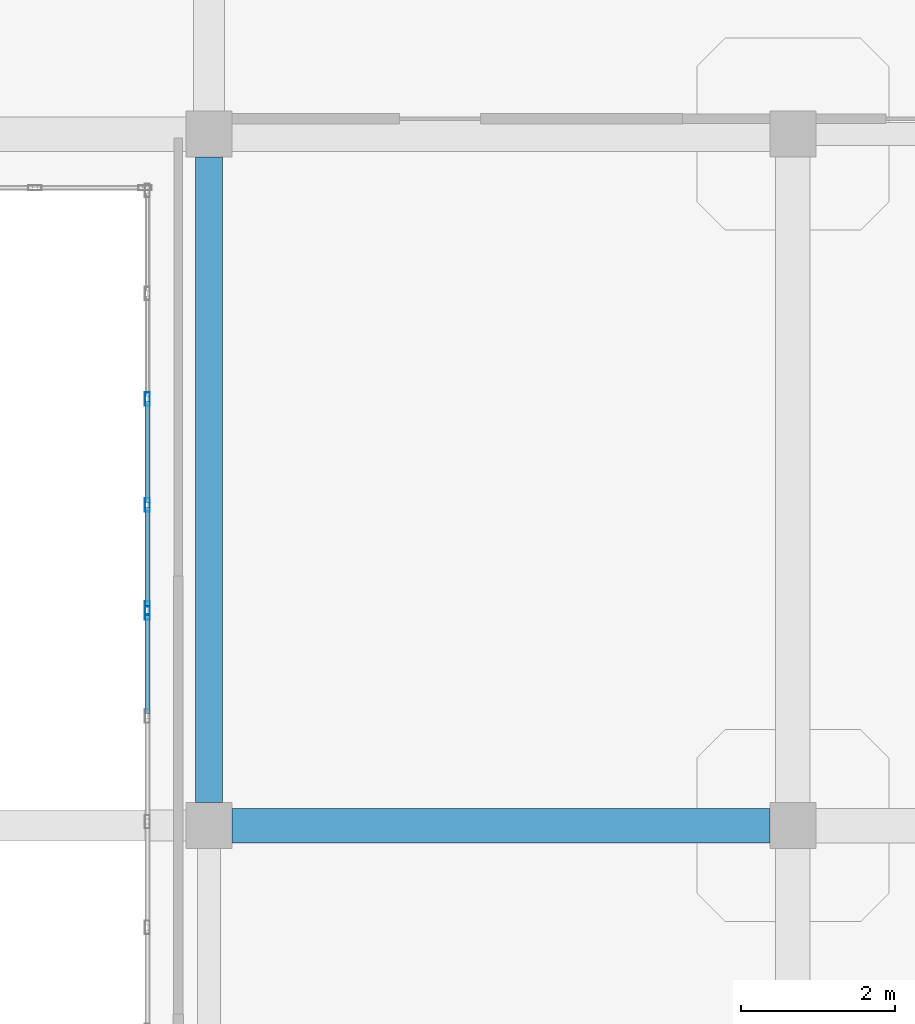
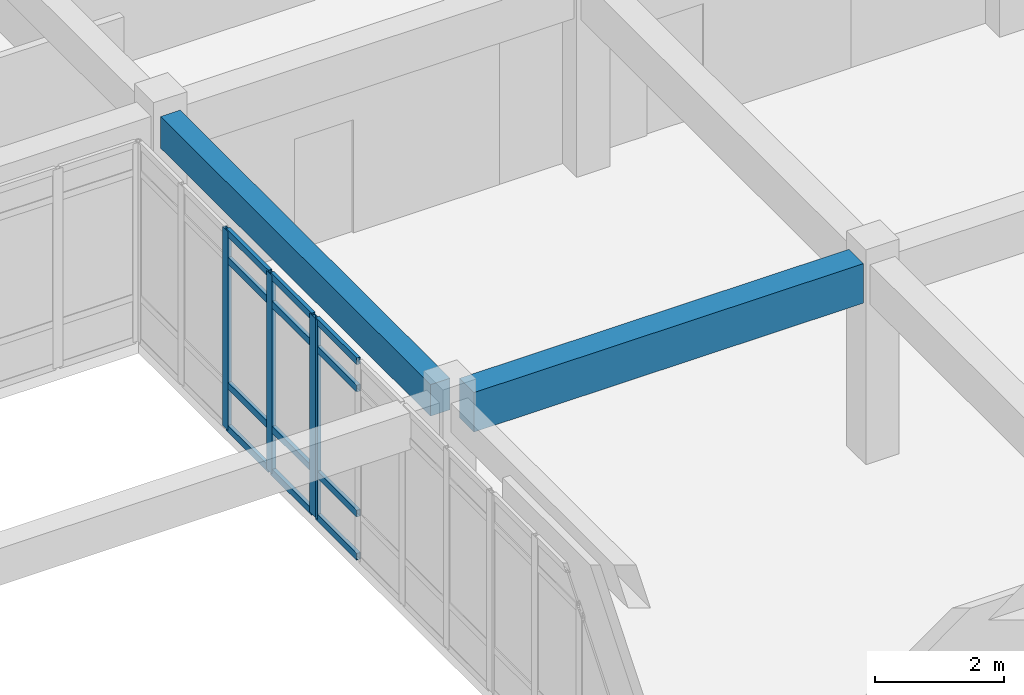
# One storey, part 51 of 91: 16 members, 2 beams, 2 elements without a shape of their own.
"""IFC4 building model written with IfcOpenShell, lengths in metres."""

from ifc_helpers import new_model, si_unit, direction, frame, origin, origin_2d, place, context, subcontext, project, spatial, rectangle, hollow_rectangle, extrude, material, layer, layer_set, material_profile, profile_set, type_object, element, aggregate, save


model = new_model("IFC4")

# Units and contexts
model_context = context("Model", 3, precision=1e-05, world=origin(), true_north=direction((0.0, 1.0)))
body_context = subcontext(model_context, "Body", "Model", "MODEL_VIEW")
ifc_project = project(units=[si_unit("LENGTHUNIT", "METRE"), si_unit("AREAUNIT", "SQUARE_METRE"), si_unit("VOLUMEUNIT", "CUBIC_METRE"), si_unit("PLANEANGLEUNIT", "RADIAN"), si_unit("MASSUNIT", "GRAM", prefix="KILO")], contexts=[model_context])

# Site, building, storey
site_placement = place(None, origin())
site = spatial("IfcSite", under=ifc_project, at=site_placement, CompositionType="ELEMENT")
building_placement = place(site_placement, origin())
building = spatial("IfcBuilding", under=site, at=building_placement, Name="Valcora Specialist Clinic", CompositionType="ELEMENT")
storey_placement = place(building_placement, frame((0.0, 0.0, 13.60009765625)))
storey = spatial("IfcBuildingStorey", under=building, at=storey_placement, Name="L03", CompositionType="ELEMENT", Elevation=13.60009765625)

# Beams
ifc_material_1 = material(Name="Concrete C40/50", Category="concrete")
ifc_material_profile_1 = material_profile(ifc_material_1, rectangle(XDim=0.35009765625, YDim=0.60009765625, at=origin_2d()), Name="RC-BM-350X600")
ifc_profile_set_1 = profile_set([ifc_material_profile_1], Name="Concrete C40/50")
beam_type_1 = type_object("IfcBeamType", Name="TY-BM-RC350X600", PredefinedType="BEAM", material=ifc_profile_set_1)
beam_1_placement = place(storey_placement, frame((90.800048828125, 90.5, 3.474853515625), z_axis=(0.0, 1.0, 0.0), x_axis=(-1.0, 0.0, 0.0)))
element("IfcBeam", 1, at=beam_1_placement, inside=storey, type_object=beam_type_1, Name="Beam BM-L03-0816", PredefinedType="BEAM", context=body_context, shape_type="SweptSolid", body=[
    extrude(rectangle(XDim=0.35009765625, YDim=0.60009765625, at=origin_2d()), origin(), (0.0, 0.0, 1.0), 8.39990234375),
])
ifc_material_profile_2 = material_profile(ifc_material_1, rectangle(XDim=0.449951171875, YDim=0.75, at=origin_2d()), Name="RC-BM-450X750")
ifc_profile_set_2 = profile_set([ifc_material_profile_2], Name="Concrete C40/50")
beam_type_2 = type_object("IfcBeamType", Name="TY-BM-RC450X750", PredefinedType="BEAM", material=ifc_profile_set_2)
beam_2_placement = place(storey_placement, frame((91.10009765625, 90.199951171875, 3.39990234375), z_axis=(1.0, 0.0, 0.0), x_axis=(0.0, 1.0, 0.0)))
element("IfcBeam", 2, at=beam_2_placement, inside=storey, type_object=beam_type_2, Name="Beam BM-L03-0785", PredefinedType="BEAM", context=body_context, shape_type="SweptSolid", body=[
    extrude(rectangle(XDim=0.449951171875, YDim=0.75, at=origin_2d()), origin(), (0.0, 0.0, 1.0), 7.0),
])

# Curtain wall, member
ifc_material_2 = material(Name="Anodized Bronze Aluminium 6063-T6", Category="aluminium")
ifc_layer = layer(ifc_material_2, 0.175048828125)
ifc_layer_set = layer_set([ifc_layer], Name="Anodized Bronze Aluminium 6063-T6")
curtain_wall_type = type_object("IfcCurtainWallType", Name="TY-CW-CRT15", PredefinedType="NOTDEFINED", material=ifc_layer_set)
curtain_wall_1_placement = place(storey_placement, origin())
curtain_wall_1 = element("IfcCurtainWall", 3, at=curtain_wall_1_placement, inside=storey, type_object=curtain_wall_type, Name="Curtain wall CW-L03-129", PredefinedType="NOTDEFINED")
ifc_material_profile_3 = material_profile(ifc_material_2, hollow_rectangle(XDim=0.06494140625, YDim=0.175048828125, WallThickness=0.00390625, at=origin_2d()), Name="AL-MUL-65X175")
ifc_profile_set_3 = profile_set([ifc_material_profile_3], Name="Anodized Bronze Aluminium 6063-T6")
member_type_1 = type_object("IfcMemberType", Name="TY-CWM-65X175", PredefinedType="MULLION", material=ifc_profile_set_3)
member_1_placement = place(storey_placement, frame((90.0, 92.967529296875, 0.0), z_axis=(0.0, 0.0, 1.0), x_axis=(-1.0, 0.0, 0.0)))
member_1 = element("IfcMember", 4, at=member_1_placement, type_object=member_type_1, Name="CW-CRT-15 mullion 5", PredefinedType="MULLION", context=body_context, shape_type="SweptSolid", body=[
    extrude(hollow_rectangle(XDim=0.06494140625, YDim=0.175048828125, WallThickness=0.00390625, at=origin_2d()), origin(), (0.0, 0.0, 1.0), 3.77490234375),
])

# Curtain wall, members
curtain_wall_2_placement = place(storey_placement, origin())
curtain_wall_2 = element("IfcCurtainWall", 5, at=curtain_wall_2_placement, inside=storey, type_object=curtain_wall_type, Name="Curtain wall CW-L03-130", PredefinedType="NOTDEFINED")
member_2_placement = place(storey_placement, frame((90.0, 93.032470703125, 0.0), z_axis=(0.0, 0.0, 1.0), x_axis=(-1.0, 0.0, 0.0)))
member_2 = element("IfcMember", 6, at=member_2_placement, type_object=member_type_1, Name="CW-CRT-15 mullion 1", PredefinedType="MULLION", context=body_context, shape_type="SweptSolid", body=[
    extrude(hollow_rectangle(XDim=0.06494140625, YDim=0.175048828125, WallThickness=0.00390625, at=origin_2d()), origin(), (0.0, 0.0, 1.0), 3.77490234375),
])
member_3_placement = place(storey_placement, frame((90.0, 94.375, 0.0), z_axis=(0.0, 0.0, 1.0), x_axis=(-1.0, 0.0, 0.0)))
member_3 = element("IfcMember", 7, at=member_3_placement, type_object=member_type_1, Name="CW-CRT-15 mullion 2", PredefinedType="MULLION", context=body_context, shape_type="SweptSolid", body=[
    extrude(hollow_rectangle(XDim=0.06494140625, YDim=0.175048828125, WallThickness=0.00390625, at=origin_2d()), origin(), (0.0, 0.0, 1.0), 3.77490234375),
])
member_4_placement = place(storey_placement, frame((90.0, 95.75, 0.0), z_axis=(0.0, 0.0, 1.0), x_axis=(-1.0, 0.0, 0.0)))
member_4 = element("IfcMember", 8, at=member_4_placement, type_object=member_type_1, Name="CW-CRT-15 mullion 3", PredefinedType="MULLION", context=body_context, shape_type="SweptSolid", body=[
    extrude(hollow_rectangle(XDim=0.06494140625, YDim=0.175048828125, WallThickness=0.00390625, at=origin_2d()), origin(), (0.0, 0.0, 1.0), 3.77490234375),
])

# Member
ifc_material_profile_4 = material_profile(ifc_material_2, hollow_rectangle(XDim=0.06494140625, YDim=0.1298828125, WallThickness=0.00390625, at=origin_2d()), Name="AL-TRN-65X130")
ifc_profile_set_4 = profile_set([ifc_material_profile_4], Name="Anodized Bronze Aluminium 6063-T6")
member_type_2 = type_object("IfcMemberType", Name="TY-CWT-65X130", PredefinedType="USERDEFINED", material=ifc_profile_set_4)
member_5_placement = place(storey_placement, frame((90.0, 91.657470703125, 0.032470703125), z_axis=(0.0, 1.0, 0.0), x_axis=(-1.0, 0.0, 0.0)))
member_5 = element("IfcMember", 9, at=member_5_placement, type_object=member_type_2, Name="CW-CRT-15 transom 4.1", ObjectType="TRANSOM", PredefinedType="USERDEFINED", context=body_context, shape_type="SweptSolid", body=[
    extrude(hollow_rectangle(XDim=0.06494140625, YDim=0.1298828125, WallThickness=0.00390625, at=origin_2d()), origin(), (0.0, 0.0, 1.0), 1.277587890625),
])

member_6_placement = place(storey_placement, frame((90.0, 91.657470703125, 0.849853515625), z_axis=(0.0, 1.0, 0.0), x_axis=(-1.0, 0.0, 0.0)))
member_6 = element("IfcMember", 10, at=member_6_placement, type_object=member_type_2, Name="CW-CRT-15 transom 4.2", ObjectType="TRANSOM", PredefinedType="USERDEFINED", context=body_context, shape_type="SweptSolid", body=[
    extrude(hollow_rectangle(XDim=0.06494140625, YDim=0.1298828125, WallThickness=0.00390625, at=origin_2d()), origin(), (0.0, 0.0, 1.0), 1.277587890625),
])

member_7_placement = place(storey_placement, frame((90.0, 91.657470703125, 3.224853515625), z_axis=(0.0, 1.0, 0.0), x_axis=(-1.0, 0.0, 0.0)))
member_7 = element("IfcMember", 11, at=member_7_placement, type_object=member_type_2, Name="CW-CRT-15 transom 4.3", ObjectType="TRANSOM", PredefinedType="USERDEFINED", context=body_context, shape_type="SweptSolid", body=[
    extrude(hollow_rectangle(XDim=0.06494140625, YDim=0.1298828125, WallThickness=0.00390625, at=origin_2d()), origin(), (0.0, 0.0, 1.0), 1.277587890625),
])

member_8_placement = place(storey_placement, frame((90.0, 91.657470703125, 3.742431640625), z_axis=(0.0, 1.0, 0.0), x_axis=(-1.0, 0.0, 0.0)))
member_8 = element("IfcMember", 12, at=member_8_placement, type_object=member_type_2, Name="CW-CRT-15 transom 4.4", ObjectType="TRANSOM", PredefinedType="USERDEFINED", context=body_context, shape_type="SweptSolid", body=[
    extrude(hollow_rectangle(XDim=0.06494140625, YDim=0.1298828125, WallThickness=0.00390625, at=origin_2d()), origin(), (0.0, 0.0, 1.0), 1.277587890625),
])

aggregate(curtain_wall_1, [member_1, member_5, member_6, member_7, member_8])

member_9_placement = place(storey_placement, frame((90.0, 93.06494140625, 0.032470703125), z_axis=(0.0, 1.0, 0.0), x_axis=(-1.0, 0.0, 0.0)))
member_9 = element("IfcMember", 13, at=member_9_placement, type_object=member_type_2, Name="CW-CRT-15 transom 1.1", ObjectType="TRANSOM", PredefinedType="USERDEFINED", context=body_context, shape_type="SweptSolid", body=[
    extrude(hollow_rectangle(XDim=0.06494140625, YDim=0.1298828125, WallThickness=0.00390625, at=origin_2d()), origin(), (0.0, 0.0, 1.0), 1.277587890625),
])

member_10_placement = place(storey_placement, frame((90.0, 93.06494140625, 0.849853515625), z_axis=(0.0, 1.0, 0.0), x_axis=(-1.0, 0.0, 0.0)))
member_10 = element("IfcMember", 14, at=member_10_placement, type_object=member_type_2, Name="CW-CRT-15 transom 1.2", ObjectType="TRANSOM", PredefinedType="USERDEFINED", context=body_context, shape_type="SweptSolid", body=[
    extrude(hollow_rectangle(XDim=0.06494140625, YDim=0.1298828125, WallThickness=0.00390625, at=origin_2d()), origin(), (0.0, 0.0, 1.0), 1.277587890625),
])

member_11_placement = place(storey_placement, frame((90.0, 93.06494140625, 3.224853515625), z_axis=(0.0, 1.0, 0.0), x_axis=(-1.0, 0.0, 0.0)))
member_11 = element("IfcMember", 15, at=member_11_placement, type_object=member_type_2, Name="CW-CRT-15 transom 1.3", ObjectType="TRANSOM", PredefinedType="USERDEFINED", context=body_context, shape_type="SweptSolid", body=[
    extrude(hollow_rectangle(XDim=0.06494140625, YDim=0.1298828125, WallThickness=0.00390625, at=origin_2d()), origin(), (0.0, 0.0, 1.0), 1.277587890625),
])

member_12_placement = place(storey_placement, frame((90.0, 93.06494140625, 3.742431640625), z_axis=(0.0, 1.0, 0.0), x_axis=(-1.0, 0.0, 0.0)))
member_12 = element("IfcMember", 16, at=member_12_placement, type_object=member_type_2, Name="CW-CRT-15 transom 1.4", ObjectType="TRANSOM", PredefinedType="USERDEFINED", context=body_context, shape_type="SweptSolid", body=[
    extrude(hollow_rectangle(XDim=0.06494140625, YDim=0.1298828125, WallThickness=0.00390625, at=origin_2d()), origin(), (0.0, 0.0, 1.0), 1.277587890625),
])

member_13_placement = place(storey_placement, frame((90.0, 94.407470703125, 0.032470703125), z_axis=(0.0, 1.0, 0.0), x_axis=(-1.0, 0.0, 0.0)))
member_13 = element("IfcMember", 17, at=member_13_placement, type_object=member_type_2, Name="CW-CRT-15 transom 2.1", ObjectType="TRANSOM", PredefinedType="USERDEFINED", context=body_context, shape_type="SweptSolid", body=[
    extrude(hollow_rectangle(XDim=0.06494140625, YDim=0.1298828125, WallThickness=0.00390625, at=origin_2d()), origin(), (0.0, 0.0, 1.0), 1.31005859375),
])

member_14_placement = place(storey_placement, frame((90.0, 94.407470703125, 0.849853515625), z_axis=(0.0, 1.0, 0.0), x_axis=(-1.0, 0.0, 0.0)))
member_14 = element("IfcMember", 18, at=member_14_placement, type_object=member_type_2, Name="CW-CRT-15 transom 2.2", ObjectType="TRANSOM", PredefinedType="USERDEFINED", context=body_context, shape_type="SweptSolid", body=[
    extrude(hollow_rectangle(XDim=0.06494140625, YDim=0.1298828125, WallThickness=0.00390625, at=origin_2d()), origin(), (0.0, 0.0, 1.0), 1.31005859375),
])

member_15_placement = place(storey_placement, frame((90.0, 94.407470703125, 3.224853515625), z_axis=(0.0, 1.0, 0.0), x_axis=(-1.0, 0.0, 0.0)))
member_15 = element("IfcMember", 19, at=member_15_placement, type_object=member_type_2, Name="CW-CRT-15 transom 2.3", ObjectType="TRANSOM", PredefinedType="USERDEFINED", context=body_context, shape_type="SweptSolid", body=[
    extrude(hollow_rectangle(XDim=0.06494140625, YDim=0.1298828125, WallThickness=0.00390625, at=origin_2d()), origin(), (0.0, 0.0, 1.0), 1.31005859375),
])

member_16_placement = place(storey_placement, frame((90.0, 94.407470703125, 3.742431640625), z_axis=(0.0, 1.0, 0.0), x_axis=(-1.0, 0.0, 0.0)))
member_16 = element("IfcMember", 20, at=member_16_placement, type_object=member_type_2, Name="CW-CRT-15 transom 2.4", ObjectType="TRANSOM", PredefinedType="USERDEFINED", context=body_context, shape_type="SweptSolid", body=[
    extrude(hollow_rectangle(XDim=0.06494140625, YDim=0.1298828125, WallThickness=0.00390625, at=origin_2d()), origin(), (0.0, 0.0, 1.0), 1.31005859375),
])

aggregate(curtain_wall_2, [member_2, member_3, member_4, member_9, member_10, member_11, member_12, member_13, member_14, member_15, member_16])

save(model, "model.ifc")
